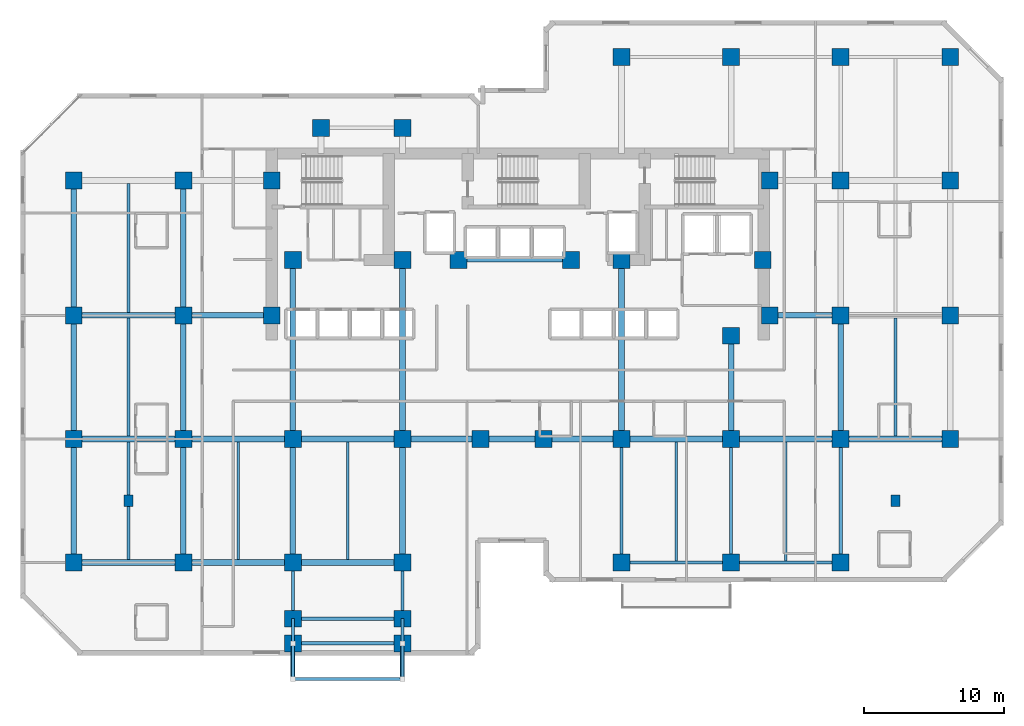
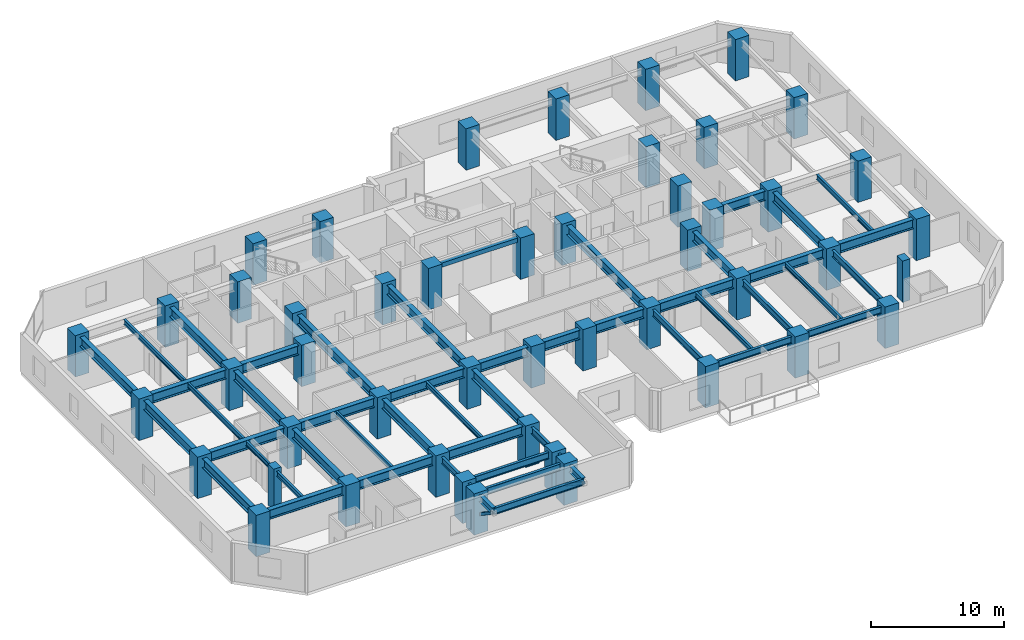
# One storey, part 1 of 12: 51 beams, 48 columns, 2 members.
"""IFC4 building model written with IfcOpenShell, lengths in metres."""

from ifc_helpers import new_model, si_unit, direction, frame, origin, origin_2d, place, context, subcontext, project, spatial, rectangle, hollow_rectangle, i_section, extrude, material, material_profile, profile_set, type_object, element, save


model = new_model("IFC4")

# Units and contexts
model_context = context("Model", 3, precision=1e-05, world=origin(), true_north=direction((0.0, 1.0)))
body_context = subcontext(model_context, "Body", "Model", "MODEL_VIEW")
ifc_project = project(units=[si_unit("LENGTHUNIT", "METRE"), si_unit("AREAUNIT", "SQUARE_METRE"), si_unit("VOLUMEUNIT", "CUBIC_METRE"), si_unit("PLANEANGLEUNIT", "RADIAN"), si_unit("MASSUNIT", "GRAM", prefix="KILO")], contexts=[model_context])

# Site, building, storey
site_placement = place(None, origin())
site = spatial("IfcSite", under=ifc_project, at=site_placement, CompositionType="ELEMENT")
building_placement = place(site_placement, origin())
building = spatial("IfcBuilding", under=site, at=building_placement, Name="Kestravale Grand Hotel", CompositionType="ELEMENT")
storey_placement = place(building_placement, frame((0.0, 0.0, 91.800048828125)))
storey = spatial("IfcBuildingStorey", under=building, at=storey_placement, Name="L22", CompositionType="ELEMENT", Elevation=91.800048828125)

# Columns
ifc_material_1 = material(Name="Precast concrete f'c 45 MPa", Category="concrete")
ifc_material_profile_1 = material_profile(ifc_material_1, rectangle(XDim=0.64990234375, YDim=0.85009765625, at=origin_2d()))
ifc_profile_set_1 = profile_set([ifc_material_profile_1], Name="Precast concrete f'c 45 MPa")
column_type_1 = type_object("IfcColumnType", Name="C-Z1-PIL850", PredefinedType="PILASTER", material=ifc_profile_set_1)
for number, where, z_axis, x_axis, name in (
    (1, (11.699951171875, 15.60009765625, 0.0), (0.0, 0.0, 1.0), (1.0, 0.0, 0.0), "L22 Art Deco fluted pilaster P1"),
    (2, (66.300048828125, 15.60009765625, 0.0), (0.0, 0.0, 1.0), (1.0, 0.0, 0.0), "L22 Art Deco fluted pilaster P2"),
):
    element("IfcColumn", number, at=place(storey_placement, frame(where, z_axis=z_axis, x_axis=x_axis)), inside=storey, type_object=column_type_1, Name=name, PredefinedType="PILASTER", context=body_context, shape_type="SweptSolid", body=[
        extrude(rectangle(XDim=0.64990234375, YDim=0.85009765625, at=origin_2d()), origin(), (0.0, 0.0, 1.0), 3.800048828125),
    ])
ifc_material_2 = material(Name="Concrete f'c 60 MPa", Category="concrete")
ifc_material_profile_2 = material_profile(ifc_material_2, rectangle(XDim=1.199951171875, YDim=1.199951171875, at=origin_2d()))
ifc_profile_set_2 = profile_set([ifc_material_profile_2], Name="Concrete f'c 60 MPa")
column_type_2 = type_object("IfcColumnType", Name="C-Z2-1200", PredefinedType="COLUMN", material=ifc_profile_set_2)
for number, where, z_axis, x_axis, name in (
    (3, (7.800048828125, 11.199951171875, 0.0), (0.0, 0.0, 1.0), (1.0, 0.0, 0.0), "L22 column 2-C"),
    (4, (7.800048828125, 20.0, 0.0), (0.0, 0.0, 1.0), (1.0, 0.0, 0.0), "L22 column 2-D"),
    (5, (7.800048828125, 28.800048828125, 0.0), (0.0, 0.0, 1.0), (1.0, 0.0, 0.0), "L22 column 2-E"),
    (6, (7.800048828125, 38.39990234375, 0.0), (0.0, 0.0, 1.0), (1.0, 0.0, 0.0), "L22 column 2-F"),
    (7, (15.60009765625, 11.199951171875, 0.0), (0.0, 0.0, 1.0), (1.0, 0.0, 0.0), "L22 column 3-C"),
    (8, (15.60009765625, 20.0, 0.0), (0.0, 0.0, 1.0), (1.0, 0.0, 0.0), "L22 column 3-D"),
    (9, (15.60009765625, 28.800048828125, 0.0), (0.0, 0.0, 1.0), (1.0, 0.0, 0.0), "L22 column 3-E"),
    (10, (15.60009765625, 38.39990234375, 0.0), (0.0, 0.0, 1.0), (1.0, 0.0, 0.0), "L22 column 3-F"),
    (11, (23.39990234375, 11.199951171875, 0.0), (0.0, 0.0, 1.0), (1.0, 0.0, 0.0), "L22 column 4-C"),
    (12, (23.39990234375, 20.0, 0.0), (0.0, 0.0, 1.0), (1.0, 0.0, 0.0), "L22 column 4-D"),
    (13, (31.199951171875, 11.199951171875, 0.0), (0.0, 0.0, 1.0), (1.0, 0.0, 0.0), "L22 column 5-C"),
    (14, (31.199951171875, 20.0, 0.0), (0.0, 0.0, 1.0), (1.0, 0.0, 0.0), "L22 column 5-D"),
    (15, (36.75, 20.0, 0.0), (0.0, 0.0, 1.0), (1.0, 0.0, 0.0), "L22 column 6-D"),
    (16, (41.25, 20.0, 0.0), (0.0, 0.0, 1.0), (1.0, 0.0, 0.0), "L22 column 7-D"),
    (17, (46.800048828125, 11.199951171875, 0.0), (0.0, 0.0, 1.0), (1.0, 0.0, 0.0), "L22 column 8-C"),
    (18, (46.800048828125, 20.0, 0.0), (0.0, 0.0, 1.0), (1.0, 0.0, 0.0), "L22 column 8-D"),
    (19, (46.800048828125, 47.199951171875, 0.0), (0.0, 0.0, 1.0), (1.0, 0.0, 0.0), "L22 column 8-G"),
    (20, (54.60009765625, 11.199951171875, 0.0), (0.0, 0.0, 1.0), (1.0, 0.0, 0.0), "L22 column 9-C"),
    (21, (54.60009765625, 20.0, 0.0), (0.0, 0.0, 1.0), (1.0, 0.0, 0.0), "L22 column 9-D"),
    (22, (54.60009765625, 47.199951171875, 0.0), (0.0, 0.0, 1.0), (1.0, 0.0, 0.0), "L22 column 9-G"),
    (23, (62.39990234375, 11.199951171875, 0.0), (0.0, 0.0, 1.0), (1.0, 0.0, 0.0), "L22 column 10-C"),
    (24, (62.39990234375, 20.0, 0.0), (0.0, 0.0, 1.0), (1.0, 0.0, 0.0), "L22 column 10-D"),
    (25, (62.39990234375, 28.800048828125, 0.0), (0.0, 0.0, 1.0), (1.0, 0.0, 0.0), "L22 column 10-E"),
    (26, (62.39990234375, 38.39990234375, 0.0), (0.0, 0.0, 1.0), (1.0, 0.0, 0.0), "L22 column 10-F"),
    (27, (62.39990234375, 47.199951171875, 0.0), (0.0, 0.0, 1.0), (1.0, 0.0, 0.0), "L22 column 10-G"),
    (28, (70.199951171875, 20.0, 0.0), (0.0, 0.0, 1.0), (1.0, 0.0, 0.0), "L22 column 11-D"),
    (29, (70.199951171875, 28.800048828125, 0.0), (0.0, 0.0, 1.0), (1.0, 0.0, 0.0), "L22 column 11-E"),
    (30, (70.199951171875, 38.39990234375, 0.0), (0.0, 0.0, 1.0), (1.0, 0.0, 0.0), "L22 column 11-F"),
    (31, (70.199951171875, 47.199951171875, 0.0), (0.0, 0.0, 1.0), (1.0, 0.0, 0.0), "L22 column 11-G"),
    (32, (21.89990234375, 28.800048828125, 0.0), (0.0, 0.0, 1.0), (1.0, 0.0, 0.0), "L22 column CW-E"),
    (33, (21.89990234375, 38.39990234375, 0.0), (0.0, 0.0, 1.0), (1.0, 0.0, 0.0), "L22 column CW-F"),
    (34, (57.35009765625, 28.800048828125, 0.0), (0.0, 0.0, 1.0), (1.0, 0.0, 0.0), "L22 column CE-E"),
    (35, (57.35009765625, 38.39990234375, 0.0), (0.0, 0.0, 1.0), (1.0, 0.0, 0.0), "L22 column CE-F"),
    (36, (23.39990234375, 32.75, 0.0), (0.0, 0.0, 1.0), (1.0, 0.0, 0.0), "L22 column 4-CS"),
    (37, (31.199951171875, 32.75, 0.0), (0.0, 0.0, 1.0), (1.0, 0.0, 0.0), "L22 column 5-CS"),
    (38, (35.199951171875, 32.75, 0.0), (0.0, 0.0, 1.0), (1.0, 0.0, 0.0), "L22 column 6C-CS"),
    (39, (43.199951171875, 32.75, 0.0), (0.0, 0.0, 1.0), (1.0, 0.0, 0.0), "L22 column 7C-CS"),
    (40, (46.800048828125, 32.75, 0.0), (0.0, 0.0, 1.0), (1.0, 0.0, 0.0), "L22 column 8-CS"),
    (41, (54.60009765625, 27.35009765625, 0.0), (0.0, 0.0, 1.0), (1.0, 0.0, 0.0), "L22 column 9-CS"),
    (42, (56.85009765625, 32.75, 0.0), (0.0, 0.0, 1.0), (1.0, 0.0, 0.0), "L22 column 9C-CS"),
    (43, (23.39990234375, 7.199951171875, 0.0), (0.0, 0.0, 1.0), (1.0, 0.0, 0.0), "L22 column 4-BS"),
    (44, (31.199951171875, 7.199951171875, 0.0), (0.0, 0.0, 1.0), (1.0, 0.0, 0.0), "L22 column 5-BS"),
    (45, (25.39990234375, 42.14990234375, 0.0), (0.0, 0.0, 1.0), (1.0, 0.0, 0.0), "L22 column 4-FN"),
    (46, (31.199951171875, 42.14990234375, 0.0), (0.0, 0.0, 1.0), (1.0, 0.0, 0.0), "L22 column 5-FN"),
    (47, (23.39990234375, 5.449951171875, 0.0), (0.0, 0.0, 1.0), (1.0, 0.0, 0.0), "L22 column 4-B1S"),
    (48, (31.199951171875, 5.449951171875, 0.0), (0.0, 0.0, 1.0), (1.0, 0.0, 0.0), "L22 column 5-B1S"),
):
    element("IfcColumn", number, at=place(storey_placement, frame(where, z_axis=z_axis, x_axis=x_axis)), inside=storey, type_object=column_type_2, Name=name, PredefinedType="COLUMN", context=body_context, shape_type="SweptSolid", body=[
        extrude(rectangle(XDim=1.199951171875, YDim=1.199951171875, at=origin_2d()), origin(), (0.0, 0.0, 1.0), 3.800048828125),
    ])

# Beams
ifc_material_3 = material(Name="Steel ASTM A992 Grade 50", Category="steel")
ifc_material_profile_3 = material_profile(ifc_material_3, i_section(OverallWidth=0.19091796875, OverallDepth=0.45703125, WebThickness=0.009033203125, FlangeThickness=0.014404296875, FilletRadius=0.015380859375, at=origin_2d()))
ifc_profile_set_3 = profile_set([ifc_material_profile_3], Name="Steel ASTM A992 Grade 50")
beam_type_1 = type_object("IfcBeamType", Name="B-FLR-JST18", PredefinedType="JOIST", material=ifc_profile_set_3)
for number, where, z_axis, x_axis, name in (
    (49, (11.699951171875, 11.400390625, 3.3115234375), (0.0, 1.0, 0.0), (-1.0, 0.0, 0.0), "L22 floor joist 2-3/C-D #1"),
    (50, (11.699951171875, 20.200439453125, 3.3115234375), (0.0, 1.0, 0.0), (-1.0, 0.0, 0.0), "L22 floor joist 2-3/D-E #1"),
):
    element("IfcBeam", number, at=place(storey_placement, frame(where, z_axis=z_axis, x_axis=x_axis)), inside=storey, type_object=beam_type_1, Name=name, PredefinedType="JOIST", context=body_context, shape_type="SweptSolid", body=[
        extrude(i_section(OverallWidth=0.19091796875, OverallDepth=0.45703125, WebThickness=0.009033203125, FlangeThickness=0.014404296875, FilletRadius=0.015380859375, at=origin_2d()), origin(), (0.0, 0.0, 1.0), 8.399169921875),
    ])
beam_1_placement = place(storey_placement, frame((11.699951171875, 29.00048828125, 3.3115234375), z_axis=(0.0, 1.0, 0.0), x_axis=(-1.0, 0.0, 0.0)))
element("IfcBeam", 51, at=beam_1_placement, inside=storey, type_object=beam_type_1, Name="L22 floor joist 2-3/E-F #1", PredefinedType="JOIST", context=body_context, shape_type="SweptSolid", body=[
    extrude(i_section(OverallWidth=0.19091796875, OverallDepth=0.45703125, WebThickness=0.009033203125, FlangeThickness=0.014404296875, FilletRadius=0.015380859375, at=origin_2d()), origin(), (0.0, 0.0, 1.0), 9.198974609375),
])
for number, where, z_axis, x_axis, name in (
    (52, (19.5, 11.400390625, 3.3115234375), (0.0, 1.0, 0.0), (-1.0, 0.0, 0.0), "L22 floor joist 3-4/C-D #1"),
    (53, (27.300048828125, 11.400390625, 3.3115234375), (0.0, 1.0, 0.0), (-1.0, 0.0, 0.0), "L22 floor joist 4-5/C-D #1"),
):
    element("IfcBeam", number, at=place(storey_placement, frame(where, z_axis=z_axis, x_axis=x_axis)), inside=storey, type_object=beam_type_1, Name=name, PredefinedType="JOIST", context=body_context, shape_type="SweptSolid", body=[
        extrude(i_section(OverallWidth=0.19091796875, OverallDepth=0.45703125, WebThickness=0.009033203125, FlangeThickness=0.014404296875, FilletRadius=0.015380859375, at=origin_2d()), origin(), (0.0, 0.0, 1.0), 8.399169921875),
    ])
for number, where, z_axis, x_axis, name in (
    (54, (50.699951171875, 11.314453125, 3.3115234375), (0.0, 1.0, 0.0), (-1.0, 0.0, 0.0), "L22 floor joist 8-9/C-D #1"),
    (55, (58.5, 11.314453125, 3.3115234375), (0.0, 1.0, 0.0), (-1.0, 0.0, 0.0), "L22 floor joist 9-10/C-D #1"),
):
    element("IfcBeam", number, at=place(storey_placement, frame(where, z_axis=z_axis, x_axis=x_axis)), inside=storey, type_object=beam_type_1, Name=name, PredefinedType="JOIST", context=body_context, shape_type="SweptSolid", body=[
        extrude(i_section(OverallWidth=0.19091796875, OverallDepth=0.45703125, WebThickness=0.009033203125, FlangeThickness=0.014404296875, FilletRadius=0.015380859375, at=origin_2d()), origin(), (0.0, 0.0, 1.0), 8.485107421875),
    ])
beam_2_placement = place(storey_placement, frame((66.300048828125, 20.200439453125, 3.3115234375), z_axis=(0.0, 1.0, 0.0), x_axis=(-1.0, 0.0, 0.0)))
element("IfcBeam", 56, at=beam_2_placement, inside=storey, type_object=beam_type_1, Name="L22 floor joist 10-11/D-E #1", PredefinedType="JOIST", context=body_context, shape_type="SweptSolid", body=[
    extrude(i_section(OverallWidth=0.19091796875, OverallDepth=0.45703125, WebThickness=0.009033203125, FlangeThickness=0.014404296875, FilletRadius=0.015380859375, at=origin_2d()), origin(), (0.0, 0.0, 1.0), 8.399169921875),
])
ifc_material_4 = material(Name="Concrete f'c 45 MPa", Category="concrete")
ifc_material_profile_4 = material_profile(ifc_material_4, rectangle(XDim=0.300048828125, YDim=0.39990234375, at=origin_2d()))
ifc_profile_set_4 = profile_set([ifc_material_profile_4], Name="Concrete f'c 45 MPa")
beam_type_2 = type_object("IfcBeamType", Name="B-FLR-LNT400", PredefinedType="LINTEL", material=ifc_profile_set_4)
beam_3_placement = place(storey_placement, frame((35.199951171875, 32.75, 3.33984375), z_axis=(1.0, 0.0, 0.0), x_axis=(0.0, 1.0, 0.0)))
element("IfcBeam", 57, at=beam_3_placement, inside=storey, type_object=beam_type_2, Name="L22 core portal header lintel", PredefinedType="LINTEL", context=body_context, shape_type="SweptSolid", body=[
    extrude(rectangle(XDim=0.300048828125, YDim=0.39990234375, at=origin_2d()), origin(), (0.0, 0.0, 1.0), 8.0),
])
ifc_material_5 = material(Name="Steel ASTM A992 Grade 50", Category="steel")
ifc_material_profile_5 = material_profile(ifc_material_5, i_section(OverallWidth=0.324951171875, OverallDepth=0.612060546875, WebThickness=0.0126953125, FlangeThickness=0.01904296875, FilletRadius=0.018798828125, at=origin_2d()))
ifc_profile_set_5 = profile_set([ifc_material_profile_5], Name="Steel ASTM A992 Grade 50")
beam_type_3 = type_object("IfcBeamType", Name="B-FLR-W24A", PredefinedType="SPANDREL", material=ifc_profile_set_5)
for number, where, z_axis, x_axis, name in (
    (58, (23.39990234375, 5.449951171875, 3.223876953125), (0.0, -1.0, 0.0), (1.0, 0.0, 0.0), "L23 terrace cantilever beam 1"),
    (59, (31.199951171875, 5.449951171875, 3.223876953125), (0.0, -1.0, 0.0), (1.0, 0.0, 0.0), "L23 terrace cantilever beam 2"),
):
    element("IfcBeam", number, at=place(storey_placement, frame(where, z_axis=z_axis, x_axis=x_axis)), inside=storey, type_object=beam_type_3, Name=name, PredefinedType="SPANDREL", context=body_context, shape_type="SweptSolid", body=[
        extrude(i_section(OverallWidth=0.324951171875, OverallDepth=0.612060546875, WebThickness=0.0126953125, FlangeThickness=0.01904296875, FilletRadius=0.018798828125, at=origin_2d()), origin(), (0.0, 0.0, 1.0), 2.550048828125),
    ])
ifc_material_6 = material(Name="Steel ASTM A992 Grade 50", Category="steel")
ifc_material_profile_6 = material_profile(ifc_material_6, i_section(OverallWidth=0.22900390625, OverallDepth=0.612060546875, WebThickness=0.011962890625, FlangeThickness=0.01953125, FilletRadius=0.019287109375, at=origin_2d()))
ifc_profile_set_6 = profile_set([ifc_material_profile_6], Name="Steel ASTM A992 Grade 50")
beam_type_4 = type_object("IfcBeamType", Name="B-FLR-W24B", PredefinedType="SPANDREL", material=ifc_profile_set_6)
beam_4_placement = place(storey_placement, frame((46.800048828125, 11.199951171875, 3.23388671875), z_axis=(1.0, 0.0, 0.0), x_axis=(0.0, 1.0, 0.0)))
element("IfcBeam", 60, at=beam_4_placement, inside=storey, type_object=beam_type_4, Name="L22 spandrel C:8-9", PredefinedType="SPANDREL", context=body_context, shape_type="SweptSolid", body=[
    extrude(i_section(OverallWidth=0.22900390625, OverallDepth=0.612060546875, WebThickness=0.011962890625, FlangeThickness=0.01953125, FilletRadius=0.019287109375, at=origin_2d()), origin(), (0.0, 0.0, 1.0), 7.800048828125),
])
beam_5_placement = place(storey_placement, frame((54.60009765625, 11.199951171875, 3.23388671875), z_axis=(1.0, 0.0, 0.0), x_axis=(0.0, 1.0, 0.0)))
element("IfcBeam", 61, at=beam_5_placement, inside=storey, type_object=beam_type_4, Name="L22 spandrel C:9-10", PredefinedType="SPANDREL", context=body_context, shape_type="SweptSolid", body=[
    extrude(i_section(OverallWidth=0.22900390625, OverallDepth=0.612060546875, WebThickness=0.011962890625, FlangeThickness=0.01953125, FilletRadius=0.019287109375, at=origin_2d()), origin(), (0.0, 0.0, 1.0), 7.7998046875),
])
for number, where, z_axis, x_axis, name in (
    (62, (23.39990234375, 5.449951171875, 3.23388671875), (1.0, 0.0, 0.0), (0.0, 1.0, 0.0), "L22 perimeter tie spandrel B1S:4-5"),
    (63, (23.39990234375, 7.199951171875, 3.23388671875), (1.0, 0.0, 0.0), (0.0, 1.0, 0.0), "L22 perimeter tie spandrel BS:4-5"),
):
    element("IfcBeam", number, at=place(storey_placement, frame(where, z_axis=z_axis, x_axis=x_axis)), inside=storey, type_object=beam_type_4, Name=name, PredefinedType="SPANDREL", context=body_context, shape_type="SweptSolid", body=[
        extrude(i_section(OverallWidth=0.22900390625, OverallDepth=0.612060546875, WebThickness=0.011962890625, FlangeThickness=0.01953125, FilletRadius=0.019287109375, at=origin_2d()), origin(), (0.0, 0.0, 1.0), 7.800048828125),
    ])
beam_6_placement = place(storey_placement, frame((23.39990234375, 5.449951171875, 3.23388671875), z_axis=(0.0, 1.0, 0.0), x_axis=(-1.0, 0.0, 0.0)))
element("IfcBeam", 64, at=beam_6_placement, inside=storey, type_object=beam_type_4, Name="L22 spandrel 4:B1S-BS", PredefinedType="SPANDREL", context=body_context, shape_type="SweptSolid", body=[
    extrude(i_section(OverallWidth=0.22900390625, OverallDepth=0.612060546875, WebThickness=0.011962890625, FlangeThickness=0.01953125, FilletRadius=0.019287109375, at=origin_2d()), origin(), (0.0, 0.0, 1.0), 1.75),
])
beam_7_placement = place(storey_placement, frame((23.39990234375, 7.199951171875, 3.23388671875), z_axis=(0.0, 1.0, 0.0), x_axis=(-1.0, 0.0, 0.0)))
element("IfcBeam", 65, at=beam_7_placement, inside=storey, type_object=beam_type_4, Name="L22 spandrel 4:BS-C", PredefinedType="SPANDREL", context=body_context, shape_type="SweptSolid", body=[
    extrude(i_section(OverallWidth=0.22900390625, OverallDepth=0.612060546875, WebThickness=0.011962890625, FlangeThickness=0.01953125, FilletRadius=0.019287109375, at=origin_2d()), origin(), (0.0, 0.0, 1.0), 4.0),
])
beam_8_placement = place(storey_placement, frame((31.199951171875, 5.449951171875, 3.23388671875), z_axis=(0.0, 1.0, 0.0), x_axis=(-1.0, 0.0, 0.0)))
element("IfcBeam", 66, at=beam_8_placement, inside=storey, type_object=beam_type_4, Name="L22 spandrel 5:B1S-BS", PredefinedType="SPANDREL", context=body_context, shape_type="SweptSolid", body=[
    extrude(i_section(OverallWidth=0.22900390625, OverallDepth=0.612060546875, WebThickness=0.011962890625, FlangeThickness=0.01953125, FilletRadius=0.019287109375, at=origin_2d()), origin(), (0.0, 0.0, 1.0), 1.75),
])
beam_9_placement = place(storey_placement, frame((31.199951171875, 7.199951171875, 3.23388671875), z_axis=(0.0, 1.0, 0.0), x_axis=(-1.0, 0.0, 0.0)))
element("IfcBeam", 67, at=beam_9_placement, inside=storey, type_object=beam_type_4, Name="L22 spandrel 5:BS-C", PredefinedType="SPANDREL", context=body_context, shape_type="SweptSolid", body=[
    extrude(i_section(OverallWidth=0.22900390625, OverallDepth=0.612060546875, WebThickness=0.011962890625, FlangeThickness=0.01953125, FilletRadius=0.019287109375, at=origin_2d()), origin(), (0.0, 0.0, 1.0), 4.0),
])
for number, where, z_axis, x_axis, name in (
    (68, (46.800048828125, 11.199951171875, 3.23388671875), (0.0, 1.0, 0.0), (-1.0, 0.0, 0.0), "L22 spandrel 8:C-D"),
    (69, (54.60009765625, 11.199951171875, 3.23388671875), (0.0, 1.0, 0.0), (-1.0, 0.0, 0.0), "L22 spandrel 9:C-D"),
    (70, (62.39990234375, 11.199951171875, 3.23388671875), (0.0, 1.0, 0.0), (-1.0, 0.0, 0.0), "L22 spandrel 10:C-D"),
):
    element("IfcBeam", number, at=place(storey_placement, frame(where, z_axis=z_axis, x_axis=x_axis)), inside=storey, type_object=beam_type_4, Name=name, PredefinedType="SPANDREL", context=body_context, shape_type="SweptSolid", body=[
        extrude(i_section(OverallWidth=0.22900390625, OverallDepth=0.612060546875, WebThickness=0.011962890625, FlangeThickness=0.01953125, FilletRadius=0.019287109375, at=origin_2d()), origin(), (0.0, 0.0, 1.0), 8.800048828125),
    ])
beam_10_placement = place(storey_placement, frame((23.39990234375, 2.89990234375, 3.223876953125), z_axis=(1.0, 0.0, 0.0), x_axis=(0.0, 1.0, 0.0)))
element("IfcBeam", 71, at=beam_10_placement, inside=storey, type_object=beam_type_4, Name="L23 terrace edge spandrel", PredefinedType="SPANDREL", context=body_context, shape_type="SweptSolid", body=[
    extrude(i_section(OverallWidth=0.22900390625, OverallDepth=0.612060546875, WebThickness=0.011962890625, FlangeThickness=0.01953125, FilletRadius=0.019287109375, at=origin_2d()), origin(), (0.0, 0.0, 1.0), 7.800048828125),
])
ifc_material_7 = material(Name="Steel ASTM A992 Grade 50", Category="steel")
ifc_material_profile_7 = material_profile(ifc_material_7, i_section(OverallWidth=0.40087890625, OverallDepth=0.861083984375, WebThickness=0.019775390625, FlangeThickness=0.032470703125, FilletRadius=0.0234375, at=origin_2d()))
ifc_profile_set_7 = profile_set([ifc_material_profile_7], Name="Steel ASTM A992 Grade 50")
beam_type_5 = type_object("IfcBeamType", Name="B-GRD-W33", PredefinedType="BEAM", material=ifc_profile_set_7)
beam_11_placement = place(storey_placement, frame((7.800048828125, 11.199951171875, 3.109375), z_axis=(1.0, 0.0, 0.0), x_axis=(0.0, 1.0, 0.0)))
element("IfcBeam", 72, at=beam_11_placement, inside=storey, type_object=beam_type_5, Name="L22 girder C:2-3", PredefinedType="BEAM", context=body_context, shape_type="SweptSolid", body=[
    extrude(i_section(OverallWidth=0.40087890625, OverallDepth=0.861083984375, WebThickness=0.019775390625, FlangeThickness=0.032470703125, FilletRadius=0.0234375, at=origin_2d()), origin(), (0.0, 0.0, 1.0), 7.800048828125),
])
beam_12_placement = place(storey_placement, frame((15.60009765625, 11.199951171875, 3.109375), z_axis=(1.0, 0.0, 0.0), x_axis=(0.0, 1.0, 0.0)))
element("IfcBeam", 73, at=beam_12_placement, inside=storey, type_object=beam_type_5, Name="L22 girder C:3-4", PredefinedType="BEAM", context=body_context, shape_type="SweptSolid", body=[
    extrude(i_section(OverallWidth=0.40087890625, OverallDepth=0.861083984375, WebThickness=0.019775390625, FlangeThickness=0.032470703125, FilletRadius=0.0234375, at=origin_2d()), origin(), (0.0, 0.0, 1.0), 7.7998046875),
])
for number, where, z_axis, x_axis, name in (
    (74, (23.39990234375, 11.199951171875, 3.109375), (1.0, 0.0, 0.0), (0.0, 1.0, 0.0), "L22 girder C:4-5"),
    (75, (7.800048828125, 20.0, 3.109375), (1.0, 0.0, 0.0), (0.0, 1.0, 0.0), "L22 girder D:2-3"),
):
    element("IfcBeam", number, at=place(storey_placement, frame(where, z_axis=z_axis, x_axis=x_axis)), inside=storey, type_object=beam_type_5, Name=name, PredefinedType="BEAM", context=body_context, shape_type="SweptSolid", body=[
        extrude(i_section(OverallWidth=0.40087890625, OverallDepth=0.861083984375, WebThickness=0.019775390625, FlangeThickness=0.032470703125, FilletRadius=0.0234375, at=origin_2d()), origin(), (0.0, 0.0, 1.0), 7.800048828125),
    ])
beam_13_placement = place(storey_placement, frame((15.60009765625, 20.0, 3.109375), z_axis=(1.0, 0.0, 0.0), x_axis=(0.0, 1.0, 0.0)))
element("IfcBeam", 76, at=beam_13_placement, inside=storey, type_object=beam_type_5, Name="L22 girder D:3-4", PredefinedType="BEAM", context=body_context, shape_type="SweptSolid", body=[
    extrude(i_section(OverallWidth=0.40087890625, OverallDepth=0.861083984375, WebThickness=0.019775390625, FlangeThickness=0.032470703125, FilletRadius=0.0234375, at=origin_2d()), origin(), (0.0, 0.0, 1.0), 7.7998046875),
])
beam_14_placement = place(storey_placement, frame((23.39990234375, 20.0, 3.109375), z_axis=(1.0, 0.0, 0.0), x_axis=(0.0, 1.0, 0.0)))
element("IfcBeam", 77, at=beam_14_placement, inside=storey, type_object=beam_type_5, Name="L22 girder D:4-5", PredefinedType="BEAM", context=body_context, shape_type="SweptSolid", body=[
    extrude(i_section(OverallWidth=0.40087890625, OverallDepth=0.861083984375, WebThickness=0.019775390625, FlangeThickness=0.032470703125, FilletRadius=0.0234375, at=origin_2d()), origin(), (0.0, 0.0, 1.0), 7.800048828125),
])
beam_15_placement = place(storey_placement, frame((31.199951171875, 20.0, 3.109375), z_axis=(1.0, 0.0, 0.0), x_axis=(0.0, 1.0, 0.0)))
element("IfcBeam", 78, at=beam_15_placement, inside=storey, type_object=beam_type_5, Name="L22 girder D:5-6", PredefinedType="BEAM", context=body_context, shape_type="SweptSolid", body=[
    extrude(i_section(OverallWidth=0.40087890625, OverallDepth=0.861083984375, WebThickness=0.019775390625, FlangeThickness=0.032470703125, FilletRadius=0.0234375, at=origin_2d()), origin(), (0.0, 0.0, 1.0), 5.550048828125),
])
beam_16_placement = place(storey_placement, frame((36.75, 20.0, 3.109375), z_axis=(1.0, 0.0, 0.0), x_axis=(0.0, 1.0, 0.0)))
element("IfcBeam", 79, at=beam_16_placement, inside=storey, type_object=beam_type_5, Name="L22 girder D:6-7", PredefinedType="BEAM", context=body_context, shape_type="SweptSolid", body=[
    extrude(i_section(OverallWidth=0.40087890625, OverallDepth=0.861083984375, WebThickness=0.019775390625, FlangeThickness=0.032470703125, FilletRadius=0.0234375, at=origin_2d()), origin(), (0.0, 0.0, 1.0), 4.5),
])
beam_17_placement = place(storey_placement, frame((41.25, 20.0, 3.109375), z_axis=(1.0, 0.0, 0.0), x_axis=(0.0, 1.0, 0.0)))
element("IfcBeam", 80, at=beam_17_placement, inside=storey, type_object=beam_type_5, Name="L22 girder D:7-8", PredefinedType="BEAM", context=body_context, shape_type="SweptSolid", body=[
    extrude(i_section(OverallWidth=0.40087890625, OverallDepth=0.861083984375, WebThickness=0.019775390625, FlangeThickness=0.032470703125, FilletRadius=0.0234375, at=origin_2d()), origin(), (0.0, 0.0, 1.0), 5.550048828125),
])
beam_18_placement = place(storey_placement, frame((46.800048828125, 20.0, 3.109375), z_axis=(1.0, 0.0, 0.0), x_axis=(0.0, 1.0, 0.0)))
element("IfcBeam", 81, at=beam_18_placement, inside=storey, type_object=beam_type_5, Name="L22 girder D:8-9", PredefinedType="BEAM", context=body_context, shape_type="SweptSolid", body=[
    extrude(i_section(OverallWidth=0.40087890625, OverallDepth=0.861083984375, WebThickness=0.019775390625, FlangeThickness=0.032470703125, FilletRadius=0.0234375, at=origin_2d()), origin(), (0.0, 0.0, 1.0), 7.800048828125),
])
beam_19_placement = place(storey_placement, frame((54.60009765625, 20.0, 3.109375), z_axis=(1.0, 0.0, 0.0), x_axis=(0.0, 1.0, 0.0)))
element("IfcBeam", 82, at=beam_19_placement, inside=storey, type_object=beam_type_5, Name="L22 girder D:9-10", PredefinedType="BEAM", context=body_context, shape_type="SweptSolid", body=[
    extrude(i_section(OverallWidth=0.40087890625, OverallDepth=0.861083984375, WebThickness=0.019775390625, FlangeThickness=0.032470703125, FilletRadius=0.0234375, at=origin_2d()), origin(), (0.0, 0.0, 1.0), 7.7998046875),
])
for number, where, z_axis, x_axis, name in (
    (83, (62.39990234375, 20.0, 3.109375), (1.0, 0.0, 0.0), (0.0, 1.0, 0.0), "L22 girder D:10-11"),
    (84, (7.800048828125, 28.800048828125, 3.109375), (1.0, 0.0, 0.0), (0.0, 1.0, 0.0), "L22 girder E:2-3"),
):
    element("IfcBeam", number, at=place(storey_placement, frame(where, z_axis=z_axis, x_axis=x_axis)), inside=storey, type_object=beam_type_5, Name=name, PredefinedType="BEAM", context=body_context, shape_type="SweptSolid", body=[
        extrude(i_section(OverallWidth=0.40087890625, OverallDepth=0.861083984375, WebThickness=0.019775390625, FlangeThickness=0.032470703125, FilletRadius=0.0234375, at=origin_2d()), origin(), (0.0, 0.0, 1.0), 7.800048828125),
    ])
beam_20_placement = place(storey_placement, frame((15.60009765625, 28.800048828125, 3.109375), z_axis=(1.0, 0.0, 0.0), x_axis=(0.0, 1.0, 0.0)))
element("IfcBeam", 85, at=beam_20_placement, inside=storey, type_object=beam_type_5, Name="L22 girder E:3-CW", PredefinedType="BEAM", context=body_context, shape_type="SweptSolid", body=[
    extrude(i_section(OverallWidth=0.40087890625, OverallDepth=0.861083984375, WebThickness=0.019775390625, FlangeThickness=0.032470703125, FilletRadius=0.0234375, at=origin_2d()), origin(), (0.0, 0.0, 1.0), 6.2998046875),
])
beam_21_placement = place(storey_placement, frame((57.35009765625, 28.800048828125, 3.109375), z_axis=(1.0, 0.0, 0.0), x_axis=(0.0, 1.0, 0.0)))
element("IfcBeam", 86, at=beam_21_placement, inside=storey, type_object=beam_type_5, Name="L22 girder E:CE-10", PredefinedType="BEAM", context=body_context, shape_type="SweptSolid", body=[
    extrude(i_section(OverallWidth=0.40087890625, OverallDepth=0.861083984375, WebThickness=0.019775390625, FlangeThickness=0.032470703125, FilletRadius=0.0234375, at=origin_2d()), origin(), (0.0, 0.0, 1.0), 5.0498046875),
])
for number, where, z_axis, x_axis, name in (
    (87, (7.800048828125, 11.199951171875, 3.109375), (0.0, 1.0, 0.0), (-1.0, 0.0, 0.0), "L22 girder 2:C-D"),
    (88, (7.800048828125, 20.0, 3.109375), (0.0, 1.0, 0.0), (-1.0, 0.0, 0.0), "L22 girder 2:D-E"),
):
    element("IfcBeam", number, at=place(storey_placement, frame(where, z_axis=z_axis, x_axis=x_axis)), inside=storey, type_object=beam_type_5, Name=name, PredefinedType="BEAM", context=body_context, shape_type="SweptSolid", body=[
        extrude(i_section(OverallWidth=0.40087890625, OverallDepth=0.861083984375, WebThickness=0.019775390625, FlangeThickness=0.032470703125, FilletRadius=0.0234375, at=origin_2d()), origin(), (0.0, 0.0, 1.0), 8.800048828125),
    ])
beam_22_placement = place(storey_placement, frame((7.800048828125, 28.800048828125, 3.109375), z_axis=(0.0, 1.0, 0.0), x_axis=(-1.0, 0.0, 0.0)))
element("IfcBeam", 89, at=beam_22_placement, inside=storey, type_object=beam_type_5, Name="L22 girder 2:E-F", PredefinedType="BEAM", context=body_context, shape_type="SweptSolid", body=[
    extrude(i_section(OverallWidth=0.40087890625, OverallDepth=0.861083984375, WebThickness=0.019775390625, FlangeThickness=0.032470703125, FilletRadius=0.0234375, at=origin_2d()), origin(), (0.0, 0.0, 1.0), 9.599853515625),
])
for number, where, z_axis, x_axis, name in (
    (90, (15.60009765625, 11.199951171875, 3.109375), (0.0, 1.0, 0.0), (-1.0, 0.0, 0.0), "L22 girder 3:C-D"),
    (91, (15.60009765625, 20.0, 3.109375), (0.0, 1.0, 0.0), (-1.0, 0.0, 0.0), "L22 girder 3:D-E"),
):
    element("IfcBeam", number, at=place(storey_placement, frame(where, z_axis=z_axis, x_axis=x_axis)), inside=storey, type_object=beam_type_5, Name=name, PredefinedType="BEAM", context=body_context, shape_type="SweptSolid", body=[
        extrude(i_section(OverallWidth=0.40087890625, OverallDepth=0.861083984375, WebThickness=0.019775390625, FlangeThickness=0.032470703125, FilletRadius=0.0234375, at=origin_2d()), origin(), (0.0, 0.0, 1.0), 8.800048828125),
    ])
beam_23_placement = place(storey_placement, frame((15.60009765625, 28.800048828125, 3.109375), z_axis=(0.0, 1.0, 0.0), x_axis=(-1.0, 0.0, 0.0)))
element("IfcBeam", 92, at=beam_23_placement, inside=storey, type_object=beam_type_5, Name="L22 girder 3:E-F", PredefinedType="BEAM", context=body_context, shape_type="SweptSolid", body=[
    extrude(i_section(OverallWidth=0.40087890625, OverallDepth=0.861083984375, WebThickness=0.019775390625, FlangeThickness=0.032470703125, FilletRadius=0.0234375, at=origin_2d()), origin(), (0.0, 0.0, 1.0), 9.599853515625),
])
beam_24_placement = place(storey_placement, frame((23.39990234375, 11.199951171875, 3.109375), z_axis=(0.0, 1.0, 0.0), x_axis=(-1.0, 0.0, 0.0)))
element("IfcBeam", 93, at=beam_24_placement, inside=storey, type_object=beam_type_5, Name="L22 girder 4:C-D", PredefinedType="BEAM", context=body_context, shape_type="SweptSolid", body=[
    extrude(i_section(OverallWidth=0.40087890625, OverallDepth=0.861083984375, WebThickness=0.019775390625, FlangeThickness=0.032470703125, FilletRadius=0.0234375, at=origin_2d()), origin(), (0.0, 0.0, 1.0), 8.800048828125),
])
beam_25_placement = place(storey_placement, frame((23.39990234375, 20.0, 3.109375), z_axis=(0.0, 1.0, 0.0), x_axis=(-1.0, 0.0, 0.0)))
element("IfcBeam", 94, at=beam_25_placement, inside=storey, type_object=beam_type_5, Name="L22 girder 4:D-CS", PredefinedType="BEAM", context=body_context, shape_type="SweptSolid", body=[
    extrude(i_section(OverallWidth=0.40087890625, OverallDepth=0.861083984375, WebThickness=0.019775390625, FlangeThickness=0.032470703125, FilletRadius=0.0234375, at=origin_2d()), origin(), (0.0, 0.0, 1.0), 12.75),
])
beam_26_placement = place(storey_placement, frame((31.199951171875, 11.199951171875, 3.109375), z_axis=(0.0, 1.0, 0.0), x_axis=(-1.0, 0.0, 0.0)))
element("IfcBeam", 95, at=beam_26_placement, inside=storey, type_object=beam_type_5, Name="L22 girder 5:C-D", PredefinedType="BEAM", context=body_context, shape_type="SweptSolid", body=[
    extrude(i_section(OverallWidth=0.40087890625, OverallDepth=0.861083984375, WebThickness=0.019775390625, FlangeThickness=0.032470703125, FilletRadius=0.0234375, at=origin_2d()), origin(), (0.0, 0.0, 1.0), 8.800048828125),
])
for number, where, z_axis, x_axis, name in (
    (96, (31.199951171875, 20.0, 3.109375), (0.0, 1.0, 0.0), (-1.0, 0.0, 0.0), "L22 girder 5:D-CS"),
    (97, (46.800048828125, 20.0, 3.109375), (0.0, 1.0, 0.0), (-1.0, 0.0, 0.0), "L22 girder 8:D-CS"),
):
    element("IfcBeam", number, at=place(storey_placement, frame(where, z_axis=z_axis, x_axis=x_axis)), inside=storey, type_object=beam_type_5, Name=name, PredefinedType="BEAM", context=body_context, shape_type="SweptSolid", body=[
        extrude(i_section(OverallWidth=0.40087890625, OverallDepth=0.861083984375, WebThickness=0.019775390625, FlangeThickness=0.032470703125, FilletRadius=0.0234375, at=origin_2d()), origin(), (0.0, 0.0, 1.0), 12.75),
    ])
beam_27_placement = place(storey_placement, frame((54.60009765625, 20.0, 3.109375), z_axis=(0.0, 1.0, 0.0), x_axis=(-1.0, 0.0, 0.0)))
element("IfcBeam", 98, at=beam_27_placement, inside=storey, type_object=beam_type_5, Name="L22 girder 9:D-CS", PredefinedType="BEAM", context=body_context, shape_type="SweptSolid", body=[
    extrude(i_section(OverallWidth=0.40087890625, OverallDepth=0.861083984375, WebThickness=0.019775390625, FlangeThickness=0.032470703125, FilletRadius=0.0234375, at=origin_2d()), origin(), (0.0, 0.0, 1.0), 7.35009765625),
])
beam_28_placement = place(storey_placement, frame((62.39990234375, 20.0, 3.109375), z_axis=(0.0, 1.0, 0.0), x_axis=(-1.0, 0.0, 0.0)))
element("IfcBeam", 99, at=beam_28_placement, inside=storey, type_object=beam_type_5, Name="L22 girder 10:D-E", PredefinedType="BEAM", context=body_context, shape_type="SweptSolid", body=[
    extrude(i_section(OverallWidth=0.40087890625, OverallDepth=0.861083984375, WebThickness=0.019775390625, FlangeThickness=0.032470703125, FilletRadius=0.0234375, at=origin_2d()), origin(), (0.0, 0.0, 1.0), 8.800048828125),
])

# Members
ifc_material_8 = material(Name="Steel ASTM A500 Grade C", Category="steel")
ifc_material_profile_8 = material_profile(ifc_material_8, hollow_rectangle(XDim=0.25, YDim=0.25, WallThickness=0.011962890625, InnerFilletRadius=0.011962890625, OuterFilletRadius=0.02392578125, at=origin_2d()))
ifc_profile_set_8 = profile_set([ifc_material_profile_8], Name="Steel ASTM A500 Grade C")
member_type = type_object("IfcMemberType", Name="M-BLT-STR250", PredefinedType="STRUT", material=ifc_profile_set_8)
for number, where, z_axis, x_axis, name in (
    (100, (23.39990234375, 5.449951171875, 1.3740234375), (0.0, -0.832062549723, 0.554681812707), (1.0, 0.0, 0.0), "L23 terrace knee-brace strut 1"),
    (101, (31.199951171875, 5.449951171875, 1.3740234375), (0.0, -0.832062549723, 0.554681812707), (1.0, 0.0, 0.0), "L23 terrace knee-brace strut 2"),
):
    element("IfcMember", number, at=place(storey_placement, frame(where, z_axis=z_axis, x_axis=x_axis)), inside=storey, type_object=member_type, Name=name, PredefinedType="STRUT", context=body_context, shape_type="SweptSolid", body=[
        extrude(hollow_rectangle(XDim=0.25, YDim=0.25, WallThickness=0.011962890625, InnerFilletRadius=0.011962890625, OuterFilletRadius=0.02392578125, at=origin_2d()), origin(), (0.0, 0.0, 1.0), 3.064697265625),
    ])

save(model, "model.ifc")
